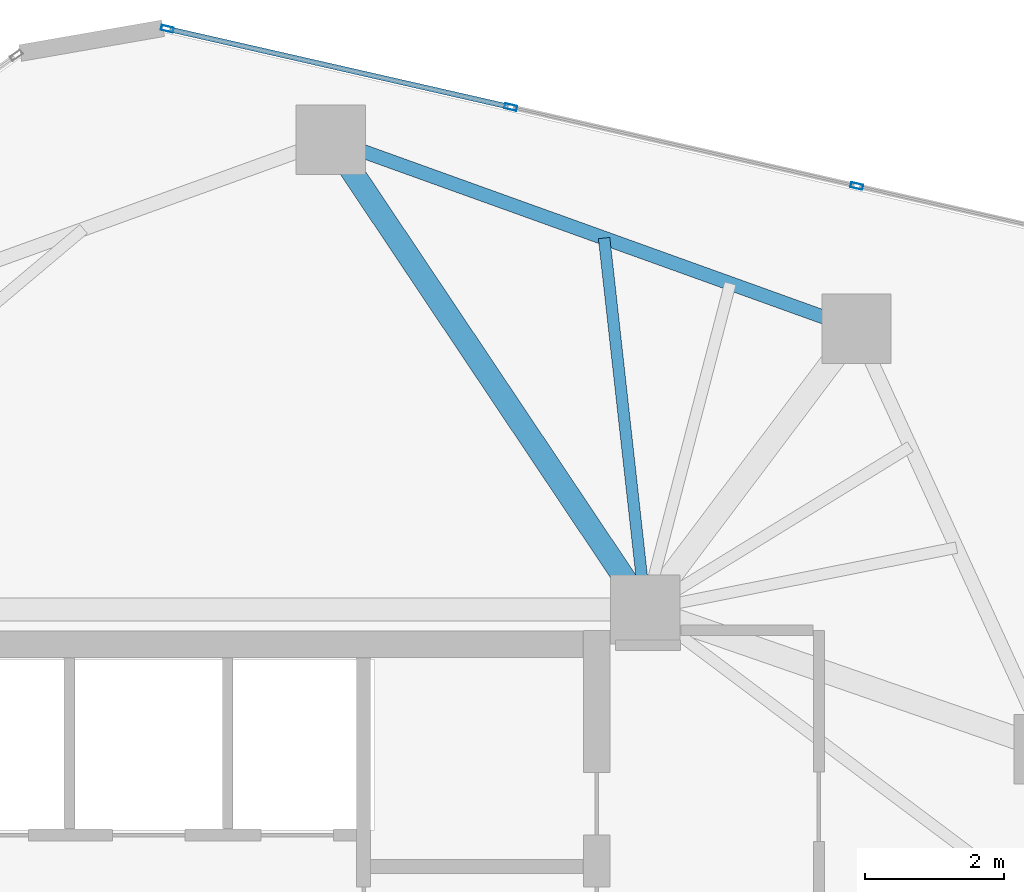
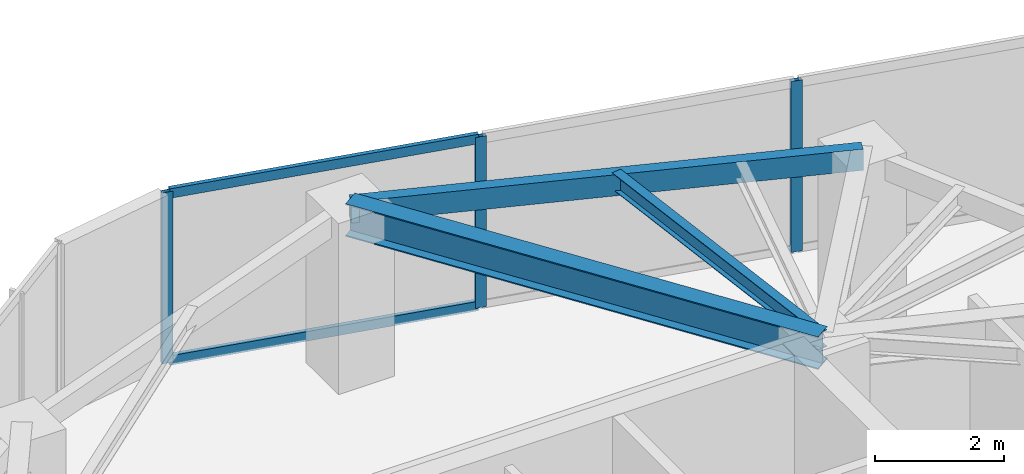
# One storey, part 13 of 19: 5 members, 3 beams, 1 element without a shape of its own.
"""IFC4 building model written with IfcOpenShell, lengths in metres."""

from ifc_helpers import new_model, si_unit, direction, frame, origin, origin_2d, place, context, subcontext, project, spatial, hollow_rectangle, i_section, extrude, source, transform, mapped, material, layer, layer_set, material_profile, profile_set, type_object, type_shapes, element, aggregate, save


model = new_model("IFC4")

# Units and contexts
model_context = context("Model", 3, precision=1e-05, world=origin(), true_north=direction((0.0, 1.0)))
body_context = subcontext(model_context, "Body", "Model", "MODEL_VIEW")
ifc_project = project(units=[si_unit("LENGTHUNIT", "METRE"), si_unit("AREAUNIT", "SQUARE_METRE"), si_unit("VOLUMEUNIT", "CUBIC_METRE"), si_unit("PLANEANGLEUNIT", "RADIAN"), si_unit("MASSUNIT", "GRAM", prefix="KILO")], contexts=[model_context])

# Site, building, storey
site_placement = place(None, origin())
site = spatial("IfcSite", under=ifc_project, at=site_placement, CompositionType="ELEMENT")
building_placement = place(site_placement, origin())
building = spatial("IfcBuilding", under=site, at=building_placement, Name="Talar Marvaseh", CompositionType="ELEMENT")
storey_placement = place(building_placement, frame((0.0, 0.0, 195.0)))
storey = spatial("IfcBuildingStorey", under=building, at=storey_placement, Name="L51", CompositionType="ELEMENT", Elevation=195.0)

# Beams
ifc_material_1 = material(Name="Steel S355", Category="steel")
ifc_material_profile_1 = material_profile(ifc_material_1, hollow_rectangle(XDim=0.199951171875, YDim=0.39990234375, WallThickness=0.013916015625, at=origin_2d()), Name="RHS400x200x14")
ifc_profile_set_1 = profile_set([ifc_material_profile_1], Name="Steel S355")
beam_type_1 = type_object("IfcBeamType", Name="Zone 3 Perimeter Spandrel Beam RHS400x200x14", PredefinedType="SPANDREL", material=ifc_profile_set_1)
beam_1_placement = place(storey_placement, frame((28.76611328125, 43.66796875, 3.030029296875), z_axis=(0.940923359576, -0.3386195969, 0.0), x_axis=(0.3386195969, 0.940923359576, 0.0)))
element("IfcBeam", 1, at=beam_1_placement, inside=storey, type_object=beam_type_1, Name="L51 Zone 3 Perimeter Spandrel Beam RHS400x200x14", PredefinedType="SPANDREL", context=body_context, shape_type="SweptSolid", body=[
    extrude(hollow_rectangle(XDim=0.199951171875, YDim=0.39990234375, WallThickness=0.013916015625, at=origin_2d()), origin(), (0.0, 0.0, 1.0), 8.050537109375),
])
ifc_material_profile_2 = material_profile(ifc_material_1, i_section(OverallWidth=0.324951171875, OverallDepth=0.615966796875, WebThickness=0.013916015625, FlangeThickness=0.021484375, at=origin_2d()), Name="W610x174")
ifc_profile_set_2 = profile_set([ifc_material_profile_2], Name="Steel S355")
beam_type_2 = type_object("IfcBeamType", Name="Zone 3 Radial Floor Girder W610x174", PredefinedType="BEAM", material=ifc_profile_set_2)
beam_2_placement = place(storey_placement, frame((28.76611328125, 43.66796875, 2.922119140625), z_axis=(0.556559209375, -0.830807948, 0.0), x_axis=(0.830807948, 0.556559209375, 0.0)))
element("IfcBeam", 2, at=beam_2_placement, inside=storey, type_object=beam_type_2, Name="L51 Zone 3 Radial Floor Girder W610x174", PredefinedType="BEAM", context=body_context, shape_type="SweptSolid", body=[
    extrude(i_section(OverallWidth=0.324951171875, OverallDepth=0.615966796875, WebThickness=0.013916015625, FlangeThickness=0.021484375, at=origin_2d()), origin(), (0.0, 0.0, 1.0), 8.146484375),
])
ifc_material_profile_3 = material_profile(ifc_material_1, i_section(OverallWidth=0.166015625, OverallDepth=0.31298828125, WebThickness=0.006591796875, FlangeThickness=0.01123046875, at=origin_2d()), Name="W310x45")
ifc_profile_set_3 = profile_set([ifc_material_profile_3], Name="Steel S355")
beam_type_3 = type_object("IfcBeamType", Name="Zone 3 Secondary Floor Joist W310x45", PredefinedType="JOIST", material=ifc_profile_set_3)
beam_3_placement = place(storey_placement, frame((32.705078125, 42.25048828125, 3.073486328125), z_axis=(0.110516140753, -0.993874329396, 0.0), x_axis=(0.993874329396, 0.110516140753, 0.0)))
element("IfcBeam", 3, at=beam_3_placement, inside=storey, type_object=beam_type_3, Name="L51 Zone 3 Secondary Floor Joist W310x45", PredefinedType="JOIST", context=body_context, shape_type="SweptSolid", body=[
    extrude(i_section(OverallWidth=0.166015625, OverallDepth=0.31298828125, WebThickness=0.006591796875, FlangeThickness=0.01123046875, at=origin_2d()), origin(), (0.0, 0.0, 1.0), 5.383544921875),
])

# Curtain wall, members
ifc_material_2 = material(Name="Architectural Aluminium", Category="aluminium")
ifc_layer = layer(ifc_material_2, 0.18994140625)
ifc_layer_set = layer_set([ifc_layer], Name="Architectural Aluminium")
curtain_wall_type = type_object("IfcCurtainWallType", Name="Unitised Solar Atelier Curtain Wall Z3", PredefinedType="NOTDEFINED", material=ifc_layer_set)
curtain_wall_placement = place(storey_placement, origin())
curtain_wall = element("IfcCurtainWall", 4, at=curtain_wall_placement, inside=storey, type_object=curtain_wall_type, Name="L51 Unitised Solar Atelier Curtain Wall Z3", PredefinedType="NOTDEFINED")
ifc_material_profile_4 = material_profile(ifc_material_2, hollow_rectangle(XDim=0.074951171875, YDim=0.179931640625, WallThickness=0.0048828125, at=origin_2d()), Name="RHS180x75x5")
ifc_profile_set_4 = profile_set([ifc_material_profile_4], Name="Architectural Aluminium")
member_type_1 = type_object("IfcMemberType", Name="Unitised Curtain Wall Standard Mullion RHS180x75x5", PredefinedType="MULLION", material=ifc_profile_set_4)
shared_shape_1 = source(origin(), body_context, "Body", "SweptSolid", [
    extrude(hollow_rectangle(XDim=0.074951171875, YDim=0.179931640625, WallThickness=0.0048828125, at=origin_2d()), origin(), (0.0, 0.0, 1.0), 3.22998046875),
])
type_shapes(member_type_1, [shared_shape_1])
member_1_placement = place(storey_placement, frame((26.41162109375, 45.264892578125, 0.0), z_axis=(0.0, 0.0, 1.0), x_axis=(0.222334787767, 0.974970380139, 0.0)))
member_1 = element("IfcMember", 5, at=member_1_placement, type_object=member_type_1, Name="CW-Z3 mullion 1", PredefinedType="MULLION", context=body_context, shape_type="MappedRepresentation", body=[
    mapped(shared_shape_1, transform((0.0, 0.0, 0.0), x_axis=(1.0, 0.0, 0.0), y_axis=(0.0, 1.0, 0.0), z_axis=(0.0, 0.0, 1.0), scale=1.0)),
])
member_2_placement = place(storey_placement, frame((31.360107421875, 44.136474609375, 0.0), z_axis=(0.0, 0.0, 1.0), x_axis=(0.222334787767, 0.974970380139, 0.0)))
member_2 = element("IfcMember", 6, at=member_2_placement, type_object=member_type_1, Name="CW-Z3 mullion 2", PredefinedType="MULLION", context=body_context, shape_type="MappedRepresentation", body=[
    mapped(shared_shape_1, transform((0.0, 0.0, 0.0), x_axis=(1.0, 0.0, 0.0), y_axis=(0.0, 1.0, 0.0), z_axis=(0.0, 0.0, 1.0), scale=1.0)),
])
member_3_placement = place(storey_placement, frame((36.344970703125, 42.999755859375, 0.0), z_axis=(0.0, 0.0, 1.0), x_axis=(0.222334787767, 0.974970380139, 0.0)))
member_3 = element("IfcMember", 7, at=member_3_placement, type_object=member_type_1, Name="CW-Z3 mullion 3", PredefinedType="MULLION", context=body_context, shape_type="MappedRepresentation", body=[
    mapped(shared_shape_1, transform((0.0, 0.0, 0.0), x_axis=(1.0, 0.0, 0.0), y_axis=(0.0, 1.0, 0.0), z_axis=(0.0, 0.0, 1.0), scale=1.0)),
])
ifc_material_profile_5 = material_profile(ifc_material_2, hollow_rectangle(XDim=0.074951171875, YDim=0.179931640625, WallThickness=0.0048828125, at=origin_2d()), Name="RHS180x75x5")
ifc_profile_set_5 = profile_set([ifc_material_profile_5], Name="Architectural Aluminium")
member_type_2 = type_object("IfcMemberType", Name="Unitised Curtain Wall Transom RHS180x75x5", PredefinedType="USERDEFINED", material=ifc_profile_set_5)
shared_shape_2 = source(origin(), body_context, "Body", "SweptSolid", [
    extrude(hollow_rectangle(XDim=0.074951171875, YDim=0.179931640625, WallThickness=0.0048828125, at=origin_2d()), origin(), (0.0, 0.0, 1.0), 5.00048828125),
])
type_shapes(member_type_2, [shared_shape_2])
member_4_placement = place(storey_placement, frame((26.4482421875, 45.256591796875, 0.03759765625), z_axis=(0.97496808165, -0.222344866735, 0.0), x_axis=(0.222344866735, 0.97496808165, 0.0)))
member_4 = element("IfcMember", 8, at=member_4_placement, type_object=member_type_2, Name="CW-Z3 transom 1.1", ObjectType="TRANSOM", PredefinedType="USERDEFINED", context=body_context, shape_type="MappedRepresentation", body=[
    mapped(shared_shape_2, transform((0.0, 0.0, 0.0), x_axis=(1.0, 0.0, 0.0), y_axis=(0.0, 1.0, 0.0), z_axis=(0.0, 0.0, 1.0), scale=1.0)),
])
member_5_placement = place(storey_placement, frame((26.4482421875, 45.256591796875, 3.1923828125), z_axis=(0.97496808165, -0.222344866735, 0.0), x_axis=(0.222344866735, 0.97496808165, 0.0)))
member_5 = element("IfcMember", 9, at=member_5_placement, type_object=member_type_2, Name="CW-Z3 transom 1.2", ObjectType="TRANSOM", PredefinedType="USERDEFINED", context=body_context, shape_type="MappedRepresentation", body=[
    mapped(shared_shape_2, transform((0.0, 0.0, 0.0), x_axis=(1.0, 0.0, 0.0), y_axis=(0.0, 1.0, 0.0), z_axis=(0.0, 0.0, 1.0), scale=1.0)),
])
aggregate(curtain_wall, [member_1, member_2, member_3, member_4, member_5])

save(model, "model.ifc")
